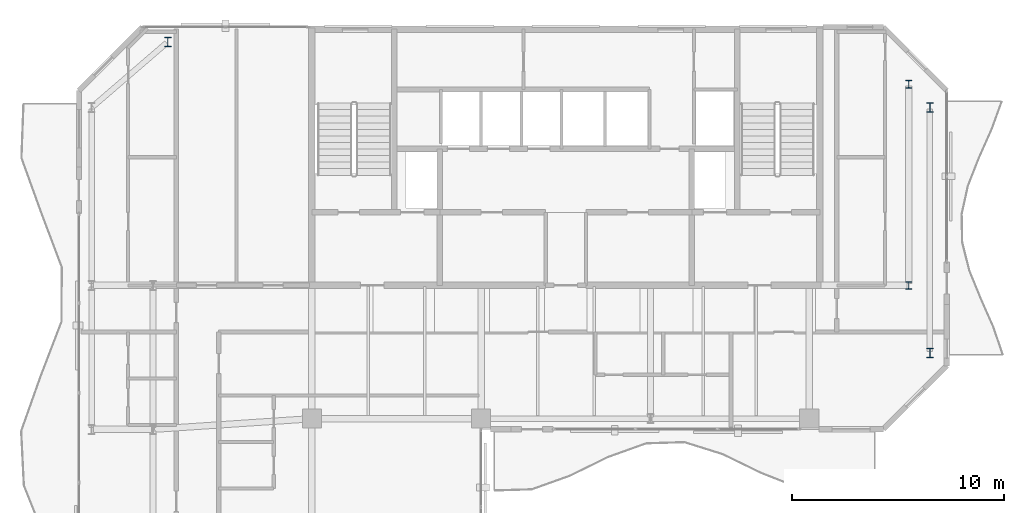
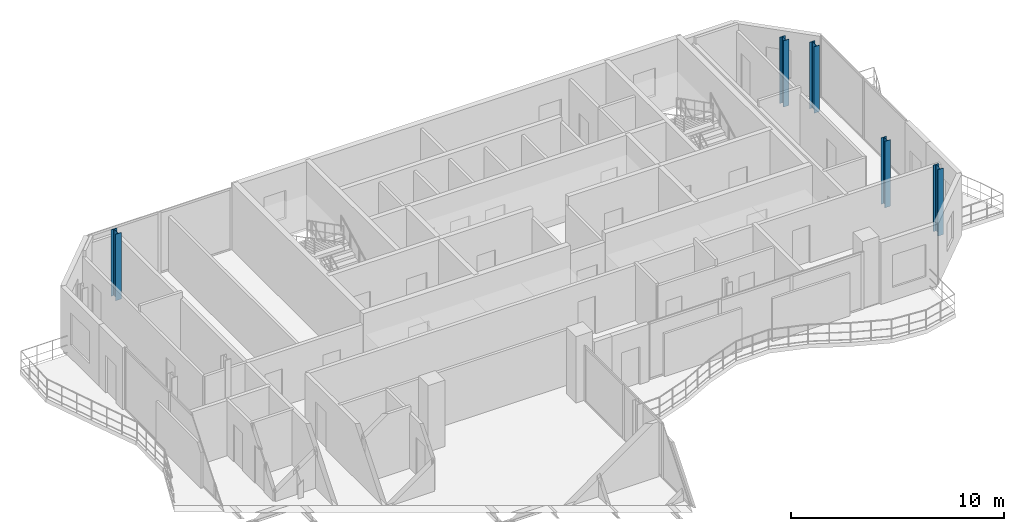
# One storey, part 2 of 23: 5 columns.
"""IFC4 building model written with IfcOpenShell, lengths in metres."""

from ifc_helpers import new_model, si_unit, direction, frame, origin, origin_2d, place, context, subcontext, project, spatial, i_section, extrude, material, material_profile, profile_set, type_object, element, save


model = new_model("IFC4")

# Units and contexts
model_context = context("Model", 3, precision=1e-05, world=origin(), true_north=direction((0.0, 1.0)))
body_context = subcontext(model_context, "Body", "Model", "MODEL_VIEW")
ifc_project = project(units=[si_unit("LENGTHUNIT", "METRE"), si_unit("AREAUNIT", "SQUARE_METRE"), si_unit("VOLUMEUNIT", "CUBIC_METRE"), si_unit("PLANEANGLEUNIT", "RADIAN"), si_unit("MASSUNIT", "GRAM", prefix="KILO")], contexts=[model_context])

# Site, building, storey
site_placement = place(None, origin())
site = spatial("IfcSite", under=ifc_project, at=site_placement, CompositionType="ELEMENT")
building_placement = place(site_placement, origin())
building = spatial("IfcBuilding", under=site, at=building_placement, Name="Catumbela Crestline Tower", CompositionType="ELEMENT")
storey_placement = place(building_placement, frame((0.0, 0.0, 245.0)))
storey = spatial("IfcBuildingStorey", under=building, at=storey_placement, Name="L63", CompositionType="ELEMENT", Elevation=245.0)

# Columns
ifc_material = material(Name="Structural steel S355J2", Category="steel")
ifc_material_profile_1 = material_profile(ifc_material, i_section(OverallWidth=0.3, OverallDepth=0.36, WebThickness=0.0125, FlangeThickness=0.0225, FilletRadius=0.027, at=origin_2d()), Name="HEB 360")
ifc_profile_set_1 = profile_set([ifc_material_profile_1], Name="Structural steel S355J2")
column_type_1 = type_object("IfcColumnType", Name="C-ST-HEB360", PredefinedType="COLUMN", material=ifc_profile_set_1)
for number, where, z_axis, x_axis, name in (
    (1, (44.2, 30.8, 0.0), (0.0, 0.0, 1.0), (1.0, 0.0, 0.0), "L63 Column CT-46-31 (HEB 360)"),
    (2, (44.2, 40.3, 0.0), (0.0, 0.0, 1.0), (1.0, 0.0, 0.0), "L63 Column CT-46-37 (HEB 360)"),
):
    element("IfcColumn", number, at=place(storey_placement, frame(where, z_axis=z_axis, x_axis=x_axis)), inside=storey, type_object=column_type_1, Name=name, PredefinedType="COLUMN", context=body_context, shape_type="SweptSolid", body=[
        extrude(i_section(OverallWidth=0.3, OverallDepth=0.36, WebThickness=0.0125, FlangeThickness=0.0225, FilletRadius=0.027, at=origin_2d()), origin(), (0.0, 0.0, 1.0), 3.8),
    ])
ifc_material_profile_2 = material_profile(ifc_material, i_section(OverallWidth=0.3, OverallDepth=0.45, WebThickness=0.014, FlangeThickness=0.026, FilletRadius=0.027, at=origin_2d()), Name="HEB 450")
ifc_profile_set_2 = profile_set([ifc_material_profile_2], Name="Structural steel S355J2")
column_type_2 = type_object("IfcColumnType", Name="C-ST-HEB450", PredefinedType="COLUMN", material=ifc_profile_set_2)
for number, where, z_axis, x_axis, name in (
    (3, (9.2, 42.3, 0.0), (0.0, 0.0, 1.0), (1.0, 0.0, 0.0), "L63 Column C-08-43 (HEB 450)"),
    (4, (45.2, 27.6, 0.0), (0.0, 0.0, 1.0), (1.0, 0.0, 0.0), "L63 Column C-46-24 (HEB 450)"),
    (5, (45.2, 39.2, 0.0), (0.0, 0.0, 1.0), (1.0, 0.0, 0.0), "L63 Column C-46-43 (HEB 450)"),
):
    element("IfcColumn", number, at=place(storey_placement, frame(where, z_axis=z_axis, x_axis=x_axis)), inside=storey, type_object=column_type_2, Name=name, PredefinedType="COLUMN", context=body_context, shape_type="SweptSolid", body=[
        extrude(i_section(OverallWidth=0.3, OverallDepth=0.45, WebThickness=0.014, FlangeThickness=0.026, FilletRadius=0.027, at=origin_2d()), origin(), (0.0, 0.0, 1.0), 3.8),
    ])

save(model, "model.ifc")
